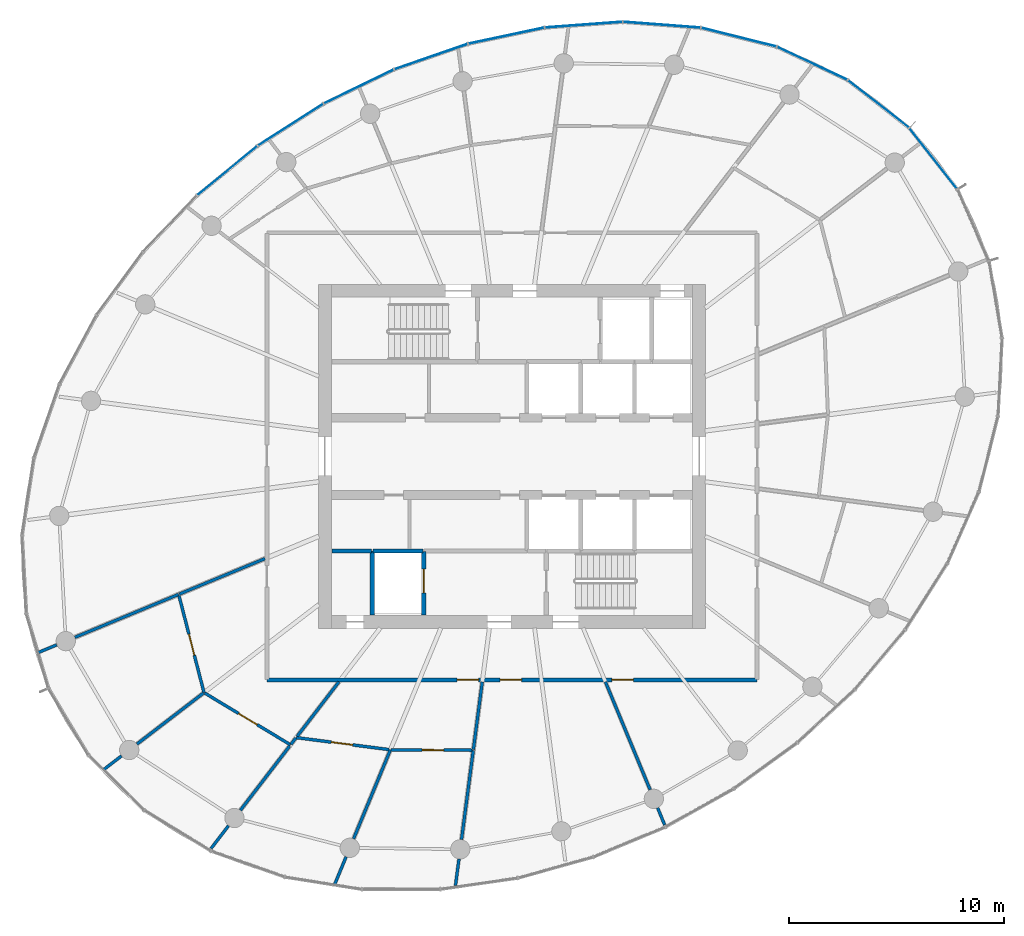
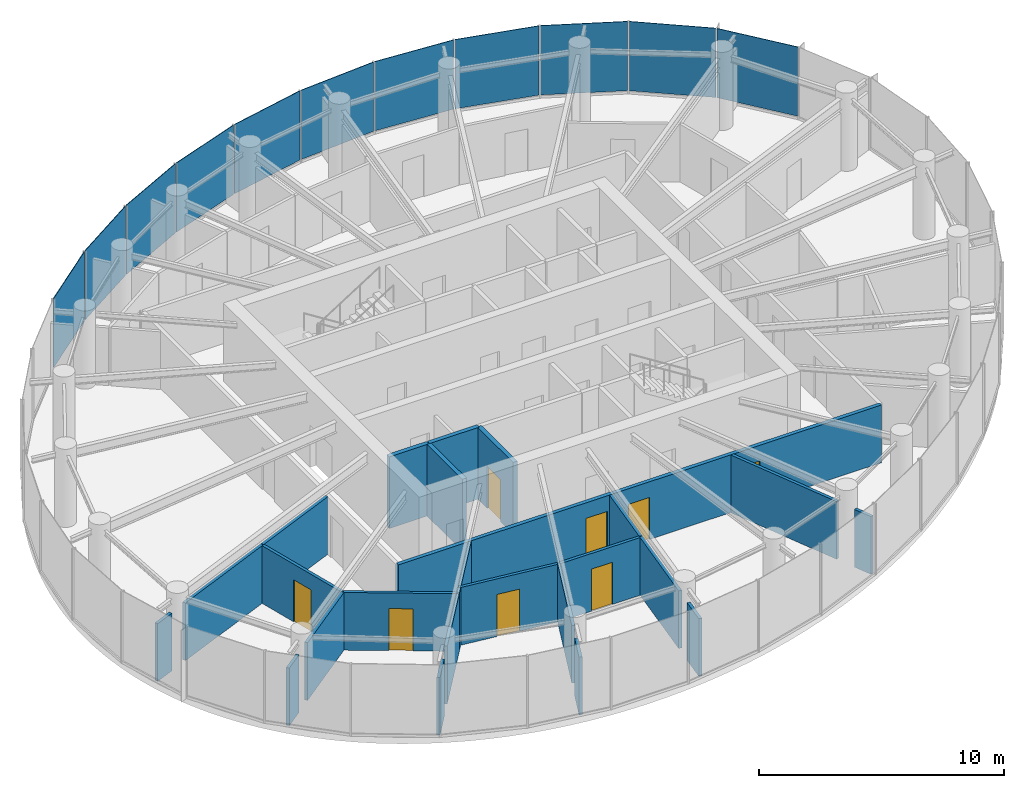
# One storey, part 9 of 14: 25 walls, 11 plates, 8 doors, 8 openings, 2 elements without a shape of their own.
"""IFC4 building model written with IfcOpenShell, lengths in metres."""

from ifc_helpers import new_model, si_unit, direction, frame, frame_2d, origin, origin_2d, place, context, subcontext, project, spatial, rectangle, extrude, source, transform, mapped, material, layer, layer_set, type_object, element, fill, aggregate, save


model = new_model("IFC4")

# Units and contexts
model_context = context("Model", 3, precision=1e-05, world=origin(), true_north=direction((0.0, 1.0)))
body_context = subcontext(model_context, "Body", "Model", "MODEL_VIEW")
ifc_project = project(units=[si_unit("LENGTHUNIT", "METRE"), si_unit("AREAUNIT", "SQUARE_METRE"), si_unit("VOLUMEUNIT", "CUBIC_METRE"), si_unit("PLANEANGLEUNIT", "RADIAN"), si_unit("MASSUNIT", "GRAM", prefix="KILO")], contexts=[model_context])

# Site, building, storey
site_placement = place(None, origin())
site = spatial("IfcSite", under=ifc_project, at=site_placement, CompositionType="ELEMENT")
building_placement = place(site_placement, origin())
building = spatial("IfcBuilding", under=site, at=building_placement, Name="Spindrift Exchange Tower", CompositionType="ELEMENT")
storey_placement = place(building_placement, frame((0.0, 0.0, 203.300048828125)))
storey = spatial("IfcBuildingStorey", under=building, at=storey_placement, Name="L49", CompositionType="ELEMENT", Elevation=203.300048828125)

# Curtain wall, plates
ifc_material_1 = material(Name="Fritted laminated glass with bronze frame", Category="glass")
ifc_layer_1 = layer(ifc_material_1, 0.169921875)
ifc_layer_set_1 = layer_set([ifc_layer_1], Name="ZONE 4 BRONZE FRITTED WALL")
curtain_wall_type = type_object("IfcCurtainWallType", Name="ZONE 4 BRONZE FRITTED WALL", PredefinedType="NOTDEFINED", material=ifc_layer_set_1)
curtain_wall_1_placement = place(storey_placement, origin())
curtain_wall_1 = element("IfcCurtainWall", 1, at=curtain_wall_1_placement, inside=storey, type_object=curtain_wall_type, Name="L49 Zone 4 Bronze Fritted Wall run 2", PredefinedType="NOTDEFINED")
ifc_material_2 = material(Name="Bronze fritted laminated glass, open frit", Category="glass")
ifc_layer_2 = layer(ifc_material_2, 0.030029296875)
ifc_layer_set_2 = layer_set([ifc_layer_2], Name="ZONE 4 BRONZE FRITTED WALL PANEL OPEN FRIT 600")
plate_type_1 = type_object("IfcPlateType", Name="ZONE 4 BRONZE FRITTED WALL PANEL OPEN FRIT 600", PredefinedType="CURTAIN_PANEL", material=ifc_layer_set_2)
shared_shape_1 = source(origin(), body_context, "Body", "SweptSolid", [
    extrude(rectangle(XDim=3.577392578125, YDim=0.030029296875, at=origin_2d()), origin(), (0.0, 0.0, 1.0), 3.455078125),
])
plate_1_placement = place(storey_placement, frame((51.738037109375, 67.561767578125, 0.125), z_axis=(0.0, 0.0, 1.0), x_axis=(-0.978321798596, -0.207090459442, 0.0)))
plate_1 = element("IfcPlate", 2, at=plate_1_placement, type_object=plate_type_1, Name="L49 panel CW-4.7", PredefinedType="CURTAIN_PANEL", context=body_context, shape_type="MappedRepresentation", body=[
    mapped(shared_shape_1, transform((0.0, 0.0, 0.0), scale=1.0)),
])
ifc_layer_3 = layer(ifc_material_2, 0.030029296875)
ifc_layer_set_3 = layer_set([ifc_layer_3], Name="ZONE 4 BRONZE FRITTED WALL PANEL OPEN FRIT 480")
plate_type_2 = type_object("IfcPlateType", Name="ZONE 4 BRONZE FRITTED WALL PANEL OPEN FRIT 480", PredefinedType="CURTAIN_PANEL", material=ifc_layer_set_3)
shared_shape_2 = source(origin(), body_context, "Body", "SweptSolid", [
    extrude(rectangle(XDim=3.577880859375, YDim=0.030029296875, at=origin_2d()), origin(), (0.0, 0.0, 1.0), 3.455078125),
])
plate_2_placement = place(storey_placement, frame((44.8759765625, 65.1962890625, 0.125), z_axis=(0.0, 0.0, 1.0), x_axis=(-0.899437291409, -0.437049835628, 0.0)))
plate_2 = element("IfcPlate", 3, at=plate_2_placement, type_object=plate_type_2, Name="L49 panel CW-4.9", PredefinedType="CURTAIN_PANEL", context=body_context, shape_type="MappedRepresentation", body=[
    mapped(shared_shape_2, transform((0.0, 0.0, 0.0), scale=1.0)),
])
plate_3_placement = place(storey_placement, frame((41.703125, 63.419189453125, 0.125), z_axis=(0.0, 0.0, 1.0), x_axis=(-0.842564278393, -0.538595800927, 0.0)))
plate_3 = element("IfcPlate", 4, at=plate_3_placement, type_object=plate_type_2, Name="L49 panel CW-4.10", PredefinedType="CURTAIN_PANEL", context=body_context, shape_type="MappedRepresentation", body=[
    mapped(shared_shape_2, transform((0.0, 0.0, 0.0), scale=1.0)),
])
shared_shape_3 = source(origin(), body_context, "Body", "SweptSolid", [
    extrude(rectangle(XDim=3.57763671875, YDim=0.030029296875, at=origin_2d()), origin(), (0.0, 0.0, 1.0), 3.455078125),
])
plate_4_placement = place(storey_placement, frame((38.75927734375, 61.284423828125, 0.125), z_axis=(0.0, 0.0, 1.0), x_axis=(-0.773783828295, -0.633449751022, 0.0)))
plate_4 = element("IfcPlate", 5, at=plate_4_placement, type_object=plate_type_2, Name="L49 panel CW-4.11", PredefinedType="CURTAIN_PANEL", context=body_context, shape_type="MappedRepresentation", body=[
    mapped(shared_shape_3, transform((0.0, 0.0, 0.0), scale=1.0)),
])
shared_shape_4 = source(origin(), body_context, "Body", "SweptSolid", [
    extrude(rectangle(XDim=3.57763671875, YDim=0.030029296875, at=origin_2d()), origin(), (0.0, 0.0, 1.0), 3.455078125),
])
plate_5_placement = place(storey_placement, frame((48.2353515625, 66.58837890625, 0.125), z_axis=(0.0, 0.0, 1.0), x_axis=(-0.944914640798, -0.327316852003, 0.0)))
plate_5 = element("IfcPlate", 6, at=plate_5_placement, type_object=plate_type_1, Name="L49 panel CW-4.8", PredefinedType="CURTAIN_PANEL", context=body_context, shape_type="MappedRepresentation", body=[
    mapped(shared_shape_4, transform((0.0, 0.0, 0.0), scale=1.0)),
])
aggregate(curtain_wall_1, [plate_1, plate_5, plate_2, plate_3, plate_4])

curtain_wall_2_placement = place(storey_placement, origin())
curtain_wall_2 = element("IfcCurtainWall", 7, at=curtain_wall_2_placement, inside=storey, type_object=curtain_wall_type, Name="L49 Zone 4 Bronze Fritted Wall run 1", PredefinedType="NOTDEFINED")
shared_shape_5 = source(origin(), body_context, "Body", "SweptSolid", [
    extrude(rectangle(XDim=3.576904296875, YDim=0.030029296875, at=origin_2d()), origin(), (0.0, 0.0, 1.0), 3.455078125),
])
plate_6_placement = place(storey_placement, frame((55.335693359375, 68.072998046875, 0.125), z_axis=(0.0, 0.0, 1.0), x_axis=(-0.997278438525, -0.073727308739, 0.0)))
plate_6 = element("IfcPlate", 8, at=plate_6_placement, type_object=plate_type_2, Name="L49 panel CW-4.6", PredefinedType="CURTAIN_PANEL", context=body_context, shape_type="MappedRepresentation", body=[
    mapped(shared_shape_5, transform((0.0, 0.0, 0.0), scale=1.0)),
])
shared_shape_6 = source(origin(), body_context, "Body", "SweptSolid", [
    extrude(rectangle(XDim=3.574951171875, YDim=0.030029296875, at=origin_2d()), origin(), (0.0, 0.0, 1.0), 3.455078125),
])
plate_7_placement = place(storey_placement, frame((62.548095703125, 67.4912109375, 0.125), z_axis=(0.0, 0.0, 1.0), x_axis=(-0.970178231192, 0.242392656077, 0.0)))
plate_7 = element("IfcPlate", 9, at=plate_7_placement, type_object=plate_type_2, Name="L49 panel CW-4.4", PredefinedType="CURTAIN_PANEL", context=body_context, shape_type="MappedRepresentation", body=[
    mapped(shared_shape_6, transform((0.0, 0.0, 0.0), scale=1.0)),
])
shared_shape_7 = source(origin(), body_context, "Body", "SweptSolid", [
    extrude(rectangle(XDim=3.5703125, YDim=0.030029296875, at=origin_2d()), origin(), (0.0, 0.0, 1.0), 3.455078125),
])
plate_8_placement = place(storey_placement, frame((71.602783203125, 61.844482421875, 0.125), z_axis=(0.0, 0.0, 1.0), x_axis=(-0.618117578279, 0.786085656543, 0.0)))
plate_8 = element("IfcPlate", 10, at=plate_8_placement, type_object=plate_type_2, Name="L49 panel CW-4.1", PredefinedType="CURTAIN_PANEL", context=body_context, shape_type="MappedRepresentation", body=[
    mapped(shared_shape_7, transform((0.0, 0.0, 0.0), scale=1.0)),
])
shared_shape_8 = source(origin(), body_context, "Body", "SweptSolid", [
    extrude(rectangle(XDim=3.571533203125, YDim=0.030029296875, at=origin_2d()), origin(), (0.0, 0.0, 1.0), 3.455078125),
])
plate_9_placement = place(storey_placement, frame((69.043212890625, 64.388427734375, 0.125), z_axis=(0.0, 0.0, 1.0), x_axis=(-0.789809365788, 0.613352399289, 0.0)))
plate_9 = element("IfcPlate", 11, at=plate_9_placement, type_object=plate_type_1, Name="L49 panel CW-4.2", PredefinedType="CURTAIN_PANEL", context=body_context, shape_type="MappedRepresentation", body=[
    mapped(shared_shape_8, transform((0.0, 0.0, 0.0), scale=1.0)),
])
shared_shape_9 = source(origin(), body_context, "Body", "SweptSolid", [
    extrude(rectangle(XDim=3.5732421875, YDim=0.030029296875, at=origin_2d()), origin(), (0.0, 0.0, 1.0), 3.455078125),
])
plate_10_placement = place(storey_placement, frame((65.96044921875, 66.27685546875, 0.125), z_axis=(0.0, 0.0, 1.0), x_axis=(-0.905203462571, 0.424978459864, 0.0)))
plate_10 = element("IfcPlate", 12, at=plate_10_placement, type_object=plate_type_1, Name="L49 panel CW-4.3", PredefinedType="CURTAIN_PANEL", context=body_context, shape_type="MappedRepresentation", body=[
    mapped(shared_shape_9, transform((0.0, 0.0, 0.0), scale=1.0)),
])
shared_shape_10 = source(origin(), body_context, "Body", "SweptSolid", [
    extrude(rectangle(XDim=3.576171875, YDim=0.030029296875, at=origin_2d()), origin(), (0.0, 0.0, 1.0), 3.455078125),
])
plate_11_placement = place(storey_placement, frame((58.966796875, 68.06982421875, 0.125), z_axis=(0.0, 0.0, 1.0), x_axis=(-0.997141651617, 0.075554792105, 0.0)))
plate_11 = element("IfcPlate", 13, at=plate_11_placement, type_object=plate_type_2, Name="L49 panel CW-4.5", PredefinedType="CURTAIN_PANEL", context=body_context, shape_type="MappedRepresentation", body=[
    mapped(shared_shape_10, transform((0.0, 0.0, 0.0), scale=1.0)),
])
aggregate(curtain_wall_2, [plate_8, plate_9, plate_10, plate_7, plate_11, plate_6])

# Wall, openings, doors
ifc_material_3 = material(Name="Fire-rated plasterboard partition", Category="gypsum")
ifc_layer_4 = layer(ifc_material_3, 0.179931640625)
ifc_layer_set_4 = layer_set([ifc_layer_4], Name="W-CORR-180")
wall_type_1 = type_object("IfcWallType", Name="W-CORR-180", PredefinedType="PARTITIONING", material=ifc_layer_set_4)
wall_1_placement = place(storey_placement, frame((63.39990234375, 37.60009765625, 0.0), z_axis=(0.0, 0.0, 1.0), x_axis=(-1.0, 0.0, 0.0)))
wall_1 = element("IfcWall", 14, at=wall_1_placement, inside=storey, type_object=wall_type_1, Name="L49 Partition wall 28", PredefinedType="PARTITIONING", context=body_context, shape_type="SweptSolid", body=[
    extrude(rectangle(XDim=22.7998046875, YDim=0.179931640625, at=frame_2d((11.39990234375, 0.0))), origin(), (0.0, 0.0, 1.0), 2.8798828125),
])
opening_1_placement = place(wall_1_placement, frame((12.949951171875, 0.0, 0.0)))
opening_1 = element("IfcOpeningElement", 15, at=opening_1_placement, cuts=wall_1, Name="Opening L49-D37", PredefinedType="OPENING", context=body_context, shape_type="SweptSolid", body=[
    extrude(rectangle(XDim=1.0, YDim=2.10009765625, at=frame_2d((0.5, 1.050048828125))), frame((0.0, 0.099853515625, 0.0), z_axis=(0.0, -1.0, 0.0), x_axis=(1.0, 0.0, 0.0)), (0.0, 0.0, 1.0), 0.199951171875),
])
opening_2_placement = place(wall_1_placement, frame((10.949951171875, 0.0, 0.0)))
opening_2 = element("IfcOpeningElement", 16, at=opening_2_placement, cuts=wall_1, Name="Opening L49-D40", PredefinedType="OPENING", context=body_context, shape_type="SweptSolid", body=[
    extrude(rectangle(XDim=1.0, YDim=2.10009765625, at=frame_2d((0.5, 1.050048828125))), frame((0.0, 0.099853515625, 0.0), z_axis=(0.0, -1.0, 0.0), x_axis=(1.0, 0.0, 0.0)), (0.0, 0.0, 1.0), 0.199951171875),
])
opening_3_placement = place(wall_1_placement, frame((5.75, 0.0, 0.0)))
opening_3 = element("IfcOpeningElement", 17, at=opening_3_placement, cuts=wall_1, Name="Opening L49-D41", PredefinedType="OPENING", context=body_context, shape_type="SweptSolid", body=[
    extrude(rectangle(XDim=1.0, YDim=2.10009765625, at=frame_2d((0.5, 1.050048828125))), frame((0.0, 0.099853515625, 0.0), z_axis=(0.0, -1.0, 0.0), x_axis=(1.0, 0.0, 0.0)), (0.0, 0.0, 1.0), 0.199951171875),
])
ifc_material_4 = material(Name="Timber-core fire door", Category="wood")
door_type_1 = type_object("IfcDoorType", Name="DR-ROOM-1000", OperationType="NOTDEFINED", PredefinedType="DOOR", material=ifc_material_4)
shared_shape_11 = source(origin(), body_context, "Body", "SweptSolid", [
    extrude(rectangle(XDim=1.0, YDim=2.10009765625, at=frame_2d((0.5, 1.050048828125))), frame((0.0, 0.02490234375, 0.0), z_axis=(0.0, -1.0, 0.0), x_axis=(1.0, 0.0, 0.0)), (0.0, 0.0, 1.0), 0.050048828125),
])
door_1_placement = place(opening_1_placement, origin())
door_1 = element("IfcDoor", 18, at=door_1_placement, inside=storey, type_object=door_type_1, Name="L49 Door 37", OperationType="SINGLE_SWING_LEFT", OverallHeight=2.10009765625, OverallWidth=1.0, PredefinedType="DOOR", context=body_context, shape_type="MappedRepresentation", body=[
    mapped(shared_shape_11, transform((0.0, 0.0, 0.0), scale=1.0)),
])
fill(opening_1, door_1)
door_2_placement = place(opening_2_placement, origin())
door_2 = element("IfcDoor", 19, at=door_2_placement, inside=storey, type_object=door_type_1, Name="L49 Door 40", OperationType="SINGLE_SWING_RIGHT", OverallHeight=2.10009765625, OverallWidth=1.0, PredefinedType="DOOR", context=body_context, shape_type="MappedRepresentation", body=[
    mapped(shared_shape_11, transform((0.0, 0.0, 0.0), scale=1.0)),
])
fill(opening_2, door_2)
door_3_placement = place(opening_3_placement, origin())
door_3 = element("IfcDoor", 20, at=door_3_placement, inside=storey, type_object=door_type_1, Name="L49 Door 41", OperationType="SINGLE_SWING_LEFT", OverallHeight=2.10009765625, OverallWidth=1.0, PredefinedType="DOOR", context=body_context, shape_type="MappedRepresentation", body=[
    mapped(shared_shape_11, transform((0.0, 0.0, 0.0), scale=1.0)),
])
fill(opening_3, door_3)

# Walls
ifc_layer_5 = layer(ifc_material_3, 0.139892578125)
ifc_layer_set_5 = layer_set([ifc_layer_5], Name="W-PART-140")
wall_type_2 = type_object("IfcWallType", Name="W-PART-140", PredefinedType="PARTITIONING", material=ifc_layer_set_5)
wall_2_placement = place(storey_placement, frame((56.34521484375, 37.510009765625, 0.0), z_axis=(0.0, 0.0, 1.0), x_axis=(0.382655972885, -0.923890906122, 0.0)))
element("IfcWall", 21, at=wall_2_placement, inside=storey, type_object=wall_type_2, Name="L49 Partition wall 33", PredefinedType="PARTITIONING", context=body_context, shape_type="SweptSolid", body=[
    extrude(rectangle(XDim=5.4345703125, YDim=0.139892578125, at=frame_2d((2.71728515625, 0.0))), origin(), (0.0, 0.0, 1.0), 2.8798828125),
])
wall_3_placement = place(storey_placement, frame((36.49658203125, 41.578369140625, 0.0), z_axis=(0.0, 0.0, 1.0), x_axis=(-0.923872241602, -0.382701033703, 0.0)))
element("IfcWall", 22, at=wall_3_placement, inside=storey, type_object=wall_type_2, Name="L49 Partition wall 34", PredefinedType="PARTITIONING", context=body_context, shape_type="SweptSolid", body=[
    extrude(rectangle(XDim=5.227294921875, YDim=0.139892578125, at=frame_2d((2.61376953125, 0.0))), origin(), (0.0, 0.0, 1.0), 2.8798828125),
])

# Wall, opening, door
wall_4_placement = place(storey_placement, frame((37.67578125, 37.008544921875, 0.0), z_axis=(0.0, 0.0, 1.0), x_axis=(-0.249819251726, 0.968292487561, 0.0)))
wall_4 = element("IfcWall", 23, at=wall_4_placement, inside=storey, type_object=wall_type_2, Name="L49 Partition wall 38", PredefinedType="PARTITIONING", context=body_context, shape_type="SweptSolid", body=[
    extrude(rectangle(XDim=4.64892578125, YDim=0.139892578125, at=frame_2d((2.324462890625, 0.0))), origin(), (0.0, 0.0, 1.0), 2.8798828125),
])
opening_4_placement = place(wall_4_placement, frame((1.798583984375, 0.0, 0.0)))
opening_4 = element("IfcOpeningElement", 24, at=opening_4_placement, cuts=wall_4, Name="Opening L49-D35", PredefinedType="OPENING", context=body_context, shape_type="SweptSolid", body=[
    extrude(rectangle(XDim=1.0, YDim=2.10009765625, at=frame_2d((0.5, 1.050048828125))), frame((0.0, 0.079833984375, 0.0), z_axis=(0.0, -1.0, 0.0), x_axis=(1.0, 0.0, 0.0)), (0.0, 0.0, 1.0), 0.159912109375),
])
door_4_placement = place(opening_4_placement, origin())
door_4 = element("IfcDoor", 25, at=door_4_placement, inside=storey, type_object=door_type_1, Name="L49 Door 35", OperationType="SINGLE_SWING_LEFT", OverallHeight=2.10009765625, OverallWidth=1.0, PredefinedType="DOOR", context=body_context, shape_type="MappedRepresentation", body=[
    mapped(shared_shape_11, transform((0.0, 0.0, 0.0), scale=1.0)),
])
fill(opening_4, door_4)

wall_5_placement = place(storey_placement, frame((41.702392578125, 34.580078125, 0.0), z_axis=(0.0, 0.0, 1.0), x_axis=(-0.856310382511, 0.516461546298, 0.0)))
wall_5 = element("IfcWall", 26, at=wall_5_placement, inside=storey, type_object=wall_type_2, Name="L49 Partition wall 41", PredefinedType="PARTITIONING", context=body_context, shape_type="SweptSolid", body=[
    extrude(rectangle(XDim=4.67236328125, YDim=0.139892578125, at=frame_2d((2.336181640625, 0.0))), origin(), (0.0, 0.0, 1.0), 2.8798828125),
])
opening_5_placement = place(wall_5_placement, frame((1.822509765625, 0.0, 0.0)))
opening_5 = element("IfcOpeningElement", 27, at=opening_5_placement, cuts=wall_5, Name="Opening L49-D36", PredefinedType="OPENING", context=body_context, shape_type="SweptSolid", body=[
    extrude(rectangle(XDim=1.0, YDim=2.10009765625, at=frame_2d((0.5, 1.050048828125))), frame((0.0, 0.079833984375, 0.0), z_axis=(0.0, -1.0, 0.0), x_axis=(1.0, 0.0, 0.0)), (0.0, 0.0, 1.0), 0.159912109375),
])
door_5_placement = place(opening_5_placement, origin())
door_5 = element("IfcDoor", 28, at=door_5_placement, inside=storey, type_object=door_type_1, Name="L49 Door 36", OperationType="SINGLE_SWING_RIGHT", OverallHeight=2.10009765625, OverallWidth=1.0, PredefinedType="DOOR", context=body_context, shape_type="MappedRepresentation", body=[
    mapped(shared_shape_11, transform((0.0, 0.0, 0.0), scale=1.0)),
])
fill(opening_5, door_5)

# Walls
wall_6_placement = place(storey_placement, frame((46.345947265625, 34.35009765625, 0.0), z_axis=(0.0, 0.0, 1.0), x_axis=(-0.382683853281, -0.923879358162, 0.0)))
element("IfcWall", 29, at=wall_6_placement, inside=storey, type_object=wall_type_2, Name="L49 Partition wall 42", PredefinedType="PARTITIONING", context=body_context, shape_type="SweptSolid", body=[
    extrude(rectangle(XDim=4.48046875, YDim=0.139892578125, at=frame_2d((2.240234375, 0.0))), origin(), (0.0, 0.0, 1.0), 2.8798828125),
])
wall_7_placement = place(storey_placement, frame((40.510009765625, 43.24072265625, 0.0), z_axis=(0.0, 0.0, 1.0), x_axis=(-0.923880260939, -0.382681673781, 0.0)))
element("IfcWall", 30, at=wall_7_placement, inside=storey, type_object=wall_type_2, Name="L49 Partition wall 43", PredefinedType="PARTITIONING", context=body_context, shape_type="SweptSolid", body=[
    extrude(rectangle(XDim=4.31396484375, YDim=0.139892578125, at=frame_2d((2.156982421875, 0.0))), origin(), (0.0, 0.0, 1.0), 2.8798828125),
])

# Wall, opening, door
wall_8_placement = place(storey_placement, frame((46.274169921875, 34.359375, 0.0), z_axis=(0.0, 0.0, 1.0), x_axis=(-0.991745657541, 0.128220711073, 0.0)))
wall_8 = element("IfcWall", 31, at=wall_8_placement, inside=storey, type_object=wall_type_2, Name="L49 Partition wall 44", PredefinedType="PARTITIONING", context=body_context, shape_type="SweptSolid", body=[
    extrude(rectangle(XDim=4.348876953125, YDim=0.139892578125, at=frame_2d((2.17431640625, 0.0))), origin(), (0.0, 0.0, 1.0), 2.8798828125),
])
opening_6_placement = place(wall_8_placement, frame((1.698974609375, 0.0, 0.0)))
opening_6 = element("IfcOpeningElement", 32, at=opening_6_placement, cuts=wall_8, Name="Opening L49-D38", PredefinedType="OPENING", context=body_context, shape_type="SweptSolid", body=[
    extrude(rectangle(XDim=1.0, YDim=2.10009765625, at=frame_2d((0.5, 1.050048828125))), frame((0.0, 0.079833984375, 0.0), z_axis=(0.0, -1.0, 0.0), x_axis=(1.0, 0.0, 0.0)), (0.0, 0.0, 1.0), 0.159912109375),
])
door_6_placement = place(opening_6_placement, origin())
door_6 = element("IfcDoor", 33, at=door_6_placement, inside=storey, type_object=door_type_1, Name="L49 Door 38", OperationType="SINGLE_SWING_RIGHT", OverallHeight=2.10009765625, OverallWidth=1.0, PredefinedType="DOOR", context=body_context, shape_type="MappedRepresentation", body=[
    mapped(shared_shape_11, transform((0.0, 0.0, 0.0), scale=1.0)),
])
fill(opening_6, door_6)

# Walls
wall_9_placement = place(storey_placement, frame((50.199951171875, 34.327880859375, 0.0), z_axis=(0.0, 0.0, 1.0), x_axis=(-0.130534370564, -0.99144378464, 0.0)))
element("IfcWall", 34, at=wall_9_placement, inside=storey, type_object=wall_type_2, Name="L49 Partition wall 47", PredefinedType="PARTITIONING", context=body_context, shape_type="SweptSolid", body=[
    extrude(rectangle(XDim=4.19140625, YDim=0.139892578125, at=frame_2d((2.095703125, 0.0))), origin(), (0.0, 0.0, 1.0), 2.8798828125),
])
wall_10_placement = place(storey_placement, frame((37.652099609375, 36.990478515625, 0.0), z_axis=(0.0, 0.0, 1.0), x_axis=(-0.793347300472, -0.608769300173, 0.0)))
element("IfcWall", 35, at=wall_10_placement, inside=storey, type_object=wall_type_2, Name="L49 Partition wall 51", PredefinedType="PARTITIONING", context=body_context, shape_type="SweptSolid", body=[
    extrude(rectangle(XDim=3.8994140625, YDim=0.139892578125, at=frame_2d((1.94970703125, 0.0))), origin(), (0.0, 0.0, 1.0), 2.8798828125),
])

# Wall, opening, door
wall_11_placement = place(storey_placement, frame((50.12939453125, 34.328125, 0.0), z_axis=(0.0, 0.0, 1.0), x_axis=(-0.999983244193, 0.005788897407, 0.0)))
wall_11 = element("IfcWall", 36, at=wall_11_placement, inside=storey, type_object=wall_type_2, Name="L49 Partition wall 54", PredefinedType="PARTITIONING", context=body_context, shape_type="SweptSolid", body=[
    extrude(rectangle(XDim=3.75341796875, YDim=0.139892578125, at=frame_2d((1.876708984375, 0.0))), origin(), (0.0, 0.0, 1.0), 2.8798828125),
])
opening_7_placement = place(wall_11_placement, frame((1.303466796875, 0.0, 0.0)))
opening_7 = element("IfcOpeningElement", 37, at=opening_7_placement, cuts=wall_11, Name="Opening L49-D39", PredefinedType="OPENING", context=body_context, shape_type="SweptSolid", body=[
    extrude(rectangle(XDim=1.0, YDim=2.10009765625, at=frame_2d((0.5, 1.050048828125))), frame((0.0, 0.079833984375, 0.0), z_axis=(0.0, -1.0, 0.0), x_axis=(1.0, 0.0, 0.0)), (0.0, 0.0, 1.0), 0.159912109375),
])
door_7_placement = place(opening_7_placement, origin())
door_7 = element("IfcDoor", 38, at=door_7_placement, inside=storey, type_object=door_type_1, Name="L49 Door 39", OperationType="SINGLE_SWING_LEFT", OverallHeight=2.10009765625, OverallWidth=1.0, PredefinedType="DOOR", context=body_context, shape_type="MappedRepresentation", body=[
    mapped(shared_shape_11, transform((0.0, 0.0, 0.0), scale=1.0)),
])
fill(opening_7, door_7)

# Walls
wall_12_placement = place(storey_placement, frame((41.65966796875, 34.524169921875, 0.0), z_axis=(0.0, 0.0, 1.0), x_axis=(-0.60877322383, -0.793344289667, 0.0)))
element("IfcWall", 39, at=wall_12_placement, inside=storey, type_object=wall_type_2, Name="L49 Partition wall 56", PredefinedType="PARTITIONING", context=body_context, shape_type="SweptSolid", body=[
    extrude(rectangle(XDim=3.7646484375, YDim=0.139892578125, at=frame_2d((1.88232421875, 0.0))), origin(), (0.0, 0.0, 1.0), 2.8798828125),
])
wall_13_placement = place(storey_placement, frame((41.94287109375, 34.893310546875, 0.0), z_axis=(0.0, 0.0, 1.0), x_axis=(-0.608740457709, -0.793369431695, 0.0)))
element("IfcWall", 40, at=wall_13_placement, inside=storey, type_object=wall_type_2, Name="L49 Partition wall 58", PredefinedType="PARTITIONING", context=body_context, shape_type="SweptSolid", body=[
    extrude(rectangle(XDim=0.364990234375, YDim=0.139892578125, at=frame_2d((0.1826171875, 0.0))), origin(), (0.0, 0.0, 1.0), 2.8798828125),
])
wall_14_placement = place(storey_placement, frame((43.95068359375, 37.510009765625, 0.0), z_axis=(0.0, 0.0, 1.0), x_axis=(-0.60871452172, -0.793389331317, 0.0)))
element("IfcWall", 41, at=wall_14_placement, inside=storey, type_object=wall_type_2, Name="L49 Partition wall 59", PredefinedType="PARTITIONING", context=body_context, shape_type="SweptSolid", body=[
    extrude(rectangle(XDim=3.187255859375, YDim=0.139892578125, at=frame_2d((1.59375, 0.0))), origin(), (0.0, 0.0, 1.0), 2.8798828125),
])
wall_15_placement = place(storey_placement, frame((50.618896484375, 37.510009765625, 0.0), z_axis=(0.0, 0.0, 1.0), x_axis=(-0.130524026108, -0.991445146546, 0.0)))
element("IfcWall", 42, at=wall_15_placement, inside=storey, type_object=wall_type_2, Name="L49 Partition wall 64", PredefinedType="PARTITIONING", context=body_context, shape_type="SweptSolid", body=[
    extrude(rectangle(XDim=3.1796875, YDim=0.139892578125, at=frame_2d((1.58984375, 0.0))), origin(), (0.0, 0.0, 1.0), 2.8798828125),
])
wall_16_placement = place(storey_placement, frame((44.283203125, 29.369873046875, 0.0), z_axis=(0.0, 0.0, 1.0), x_axis=(-0.382733825207, -0.923858657502, 0.0)))
element("IfcWall", 43, at=wall_16_placement, inside=storey, type_object=wall_type_2, Name="L49 Partition wall 76", PredefinedType="PARTITIONING", context=body_context, shape_type="SweptSolid", body=[
    extrude(rectangle(XDim=1.373291015625, YDim=0.139892578125, at=frame_2d((0.6865234375, 0.0))), origin(), (0.0, 0.0, 1.0), 2.8798828125),
])
wall_17_placement = place(storey_placement, frame((38.814453125, 30.81640625, 0.0), z_axis=(0.0, 0.0, 1.0), x_axis=(-0.608692849826, -0.79340595824, 0.0)))
element("IfcWall", 44, at=wall_17_placement, inside=storey, type_object=wall_type_2, Name="L49 Partition wall 77", PredefinedType="PARTITIONING", context=body_context, shape_type="SweptSolid", body=[
    extrude(rectangle(XDim=1.333740234375, YDim=0.139892578125, at=frame_2d((0.6669921875, 0.0))), origin(), (0.0, 0.0, 1.0), 2.8798828125),
])
wall_18_placement = place(storey_placement, frame((49.5341796875, 29.27099609375, 0.0), z_axis=(0.0, 0.0, 1.0), x_axis=(-0.130520415919, -0.991445621821, 0.0)))
element("IfcWall", 45, at=wall_18_placement, inside=storey, type_object=wall_type_2, Name="L49 Partition wall 79", PredefinedType="PARTITIONING", context=body_context, shape_type="SweptSolid", body=[
    extrude(rectangle(XDim=1.245849609375, YDim=0.139892578125, at=frame_2d((0.623046875, 0.0))), origin(), (0.0, 0.0, 1.0), 2.8798828125),
])
wall_19_placement = place(storey_placement, frame((33.83740234375, 34.063232421875, 0.0), z_axis=(0.0, 0.0, 1.0), x_axis=(-0.793403619358, -0.608695898449, 0.0)))
element("IfcWall", 46, at=wall_19_placement, inside=storey, type_object=wall_type_2, Name="L49 Partition wall 86", PredefinedType="PARTITIONING", context=body_context, shape_type="SweptSolid", body=[
    extrude(rectangle(XDim=1.046875, YDim=0.139892578125, at=frame_2d((0.5234375, 0.0))), origin(), (0.0, 0.0, 1.0), 2.8798828125),
])
wall_20_placement = place(storey_placement, frame((30.826416015625, 39.229736328125, 0.0), z_axis=(0.0, 0.0, 1.0), x_axis=(-0.923779659408, -0.38292445843, 0.0)))
element("IfcWall", 47, at=wall_20_placement, inside=storey, type_object=wall_type_2, Name="L49 Partition wall 87", PredefinedType="PARTITIONING", context=body_context, shape_type="SweptSolid", body=[
    extrude(rectangle(XDim=0.953857421875, YDim=0.139892578125, at=frame_2d((0.47705078125, 0.0))), origin(), (0.0, 0.0, 1.0), 2.8798828125),
])
wall_21_placement = place(storey_placement, frame((58.773193359375, 31.648193359375, 0.0), z_axis=(0.0, 0.0, 1.0), x_axis=(0.382754217383, -0.92385020922, 0.0)))
element("IfcWall", 48, at=wall_21_placement, inside=storey, type_object=wall_type_2, Name="L49 Partition wall 92", PredefinedType="PARTITIONING", context=body_context, shape_type="SweptSolid", body=[
    extrude(rectangle(XDim=0.857177734375, YDim=0.139892578125, at=frame_2d((0.4287109375, 0.0))), origin(), (0.0, 0.0, 1.0), 2.8798828125),
])
ifc_material_5 = material(Name="Concrete 40 MPa", Category="concrete")
ifc_layer_6 = layer(ifc_material_5, 0.199951171875)
ifc_layer_set_6 = layer_set([ifc_layer_6], Name="W-SHAFT-200")
wall_type_3 = type_object("IfcWallType", Name="W-SHAFT-200", PredefinedType="SOLIDWALL", material=ifc_layer_set_6)
wall_22_placement = place(storey_placement, frame((45.5, 43.60009765625, 0.0), z_axis=(0.0, 0.0, 1.0), x_axis=(0.0, -1.0, 0.0)))
element("IfcWall", 49, at=wall_22_placement, inside=storey, type_object=wall_type_3, Name="L49 Shaft wall 3", PredefinedType="SOLIDWALL", context=body_context, shape_type="SweptSolid", body=[
    extrude(rectangle(XDim=2.97998046875, YDim=0.199951171875, at=frame_2d((1.489990234375, 0.0))), origin(), (0.0, 0.0, 1.0), 3.579833984375),
])

# Wall, opening, door
wall_23_placement = place(storey_placement, frame((47.89990234375, 40.6201171875, 0.0), z_axis=(0.0, 0.0, 1.0), x_axis=(0.0, 1.0, 0.0)))
wall_23 = element("IfcWall", 50, at=wall_23_placement, inside=storey, type_object=wall_type_3, Name="L49 Shaft wall 4", PredefinedType="SOLIDWALL", context=body_context, shape_type="SweptSolid", body=[
    extrude(rectangle(XDim=2.949951171875, YDim=0.199951171875, at=frame_2d((1.47509765625, 0.0))), origin(), (0.0, 0.0, 1.0), 3.579833984375),
])
opening_8_placement = place(wall_23_placement, frame((1.030029296875, 0.0, 0.0)))
opening_8 = element("IfcOpeningElement", 51, at=opening_8_placement, cuts=wall_23, Name="Opening L49-D10", PredefinedType="OPENING", context=body_context, shape_type="SweptSolid", body=[
    extrude(rectangle(XDim=1.10009765625, YDim=2.10009765625, at=frame_2d((0.550048828125, 1.050048828125))), frame((0.0, 0.10986328125, 0.0), z_axis=(0.0, -1.0, 0.0), x_axis=(1.0, 0.0, 0.0)), (0.0, 0.0, 1.0), 0.219970703125),
])
ifc_material_6 = material(Name="Stainless steel landing door", Category="steel")
door_type_2 = type_object("IfcDoorType", Name="DR-LANDING-1100-SL", OperationType="DOUBLE_DOOR_SLIDING", PredefinedType="USERDEFINED", material=ifc_material_6)
shared_shape_12 = source(origin(), body_context, "Body", "SweptSolid", [
    extrude(rectangle(XDim=1.10009765625, YDim=2.10009765625, at=frame_2d((0.550048828125, 1.050048828125))), frame((0.0, 0.02490234375, 0.0), z_axis=(0.0, -1.0, 0.0), x_axis=(1.0, 0.0, 0.0)), (0.0, 0.0, 1.0), 0.050048828125),
])
door_8_placement = place(opening_8_placement, origin())
door_8 = element("IfcDoor", 52, at=door_8_placement, inside=storey, type_object=door_type_2, Name="L49 Lift landing door 10", ObjectType="LANDING DOOR", OperationType="DOUBLE_DOOR_SLIDING", OverallHeight=2.10009765625, OverallWidth=1.10009765625, PredefinedType="USERDEFINED", context=body_context, shape_type="MappedRepresentation", body=[
    mapped(shared_shape_12, transform((0.0, 0.0, 0.0), scale=1.0)),
])
fill(opening_8, door_8)

# Walls
wall_24_placement = place(storey_placement, frame((47.8701171875, 43.60009765625, 0.0), z_axis=(0.0, 0.0, 1.0), x_axis=(-1.0, 0.0, 0.0)))
element("IfcWall", 53, at=wall_24_placement, inside=storey, type_object=wall_type_3, Name="L49 Shaft wall 12", PredefinedType="SOLIDWALL", context=body_context, shape_type="SweptSolid", body=[
    extrude(rectangle(XDim=2.340087890625, YDim=0.199951171875, at=frame_2d((1.169921875, 0.0))), origin(), (0.0, 0.0, 1.0), 3.579833984375),
])
wall_25_placement = place(storey_placement, frame((45.469970703125, 43.60009765625, 0.0), z_axis=(0.0, 0.0, 1.0), x_axis=(-1.0, 0.0, 0.0)))
element("IfcWall", 54, at=wall_25_placement, inside=storey, type_object=wall_type_3, Name="L49 Shaft wall 20", PredefinedType="SOLIDWALL", context=body_context, shape_type="SweptSolid", body=[
    extrude(rectangle(XDim=1.849853515625, YDim=0.199951171875, at=frame_2d((0.9248046875, 0.0))), origin(), (0.0, 0.0, 1.0), 3.579833984375),
])

save(model, "model.ifc")
